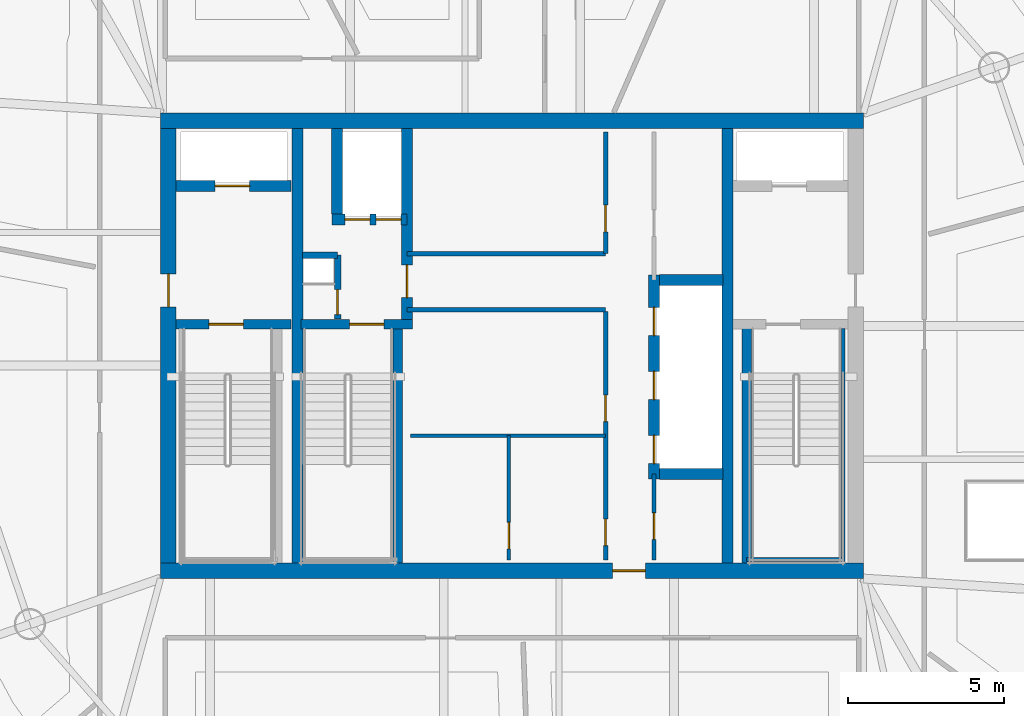
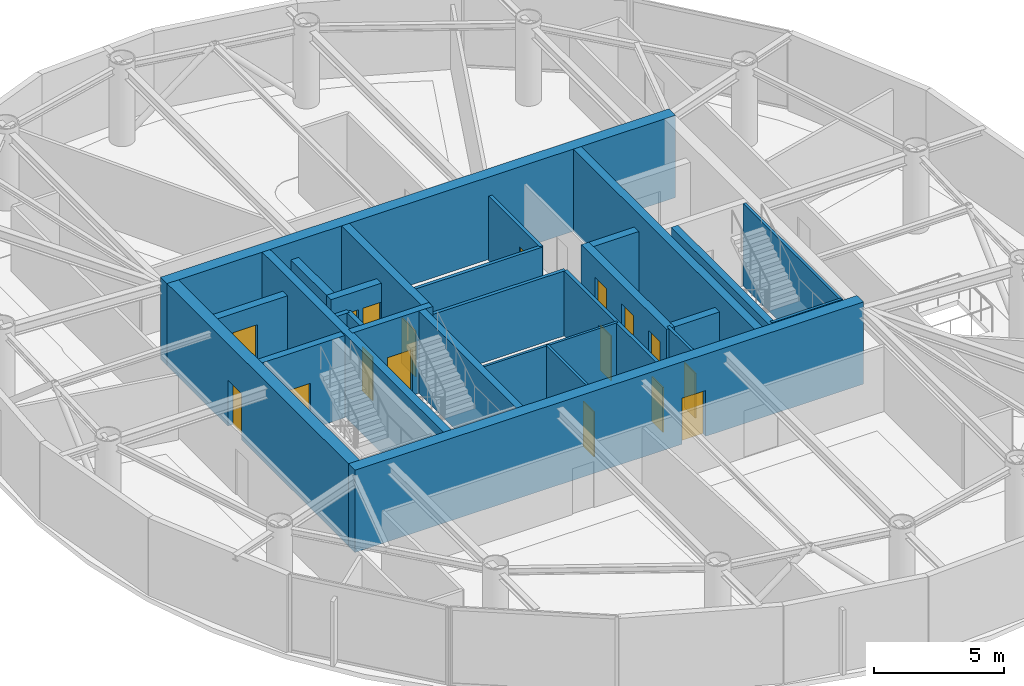
# One storey, part 12 of 17: 27 walls, 17 doors, 17 openings.
"""IFC4 building model written with IfcOpenShell, lengths in metres."""

from ifc_helpers import new_model, si_unit, direction, frame, frame_2d, origin, place, context, subcontext, project, spatial, rectangle, extrude, material, layer, layer_set, type_object, element, fill, save


model = new_model("IFC4")

# Units and contexts
model_context = context("Model", 3, precision=1e-05, world=origin(), true_north=direction((0.0, 1.0)))
body_context = subcontext(model_context, "Body", "Model", "MODEL_VIEW")
ifc_project = project(units=[si_unit("LENGTHUNIT", "METRE"), si_unit("AREAUNIT", "SQUARE_METRE"), si_unit("VOLUMEUNIT", "CUBIC_METRE"), si_unit("PLANEANGLEUNIT", "RADIAN"), si_unit("MASSUNIT", "GRAM", prefix="KILO")], contexts=[model_context])

# Site, building, storey
site_placement = place(None, origin())
site = spatial("IfcSite", under=ifc_project, at=site_placement, CompositionType="ELEMENT")
building_placement = place(site_placement, origin())
building = spatial("IfcBuilding", under=site, at=building_placement, Name="Bramvorn Convention Spire", CompositionType="ELEMENT")
storey_placement = place(building_placement, frame((0.0, 0.0, 265.14990234375)))
storey = spatial("IfcBuildingStorey", under=building, at=storey_placement, Name="L67", CompositionType="ELEMENT", Elevation=265.14990234375)

# Wall, opening, door
ifc_material_1 = material(Name="Concrete C50/60", Category="concrete")
ifc_layer_1 = layer(ifc_material_1, 0.5)
ifc_layer_set_1 = layer_set([ifc_layer_1], Name="Concrete C50/60 - WL-CORE-500")
wall_type_1 = type_object("IfcWallType", Name="WL-CORE-500", PredefinedType="SHEAR", material=ifc_layer_set_1)
wall_1_placement = place(storey_placement, frame((26.75, 18.800048828125, 0.0), z_axis=(0.0, 0.0, 1.0), x_axis=(1.0, 0.0, 0.0)))
wall_1 = element("IfcWall", 1, at=wall_1_placement, inside=storey, type_object=wall_type_1, Name="L67 South RC core shear wall", PredefinedType="SHEAR", context=body_context, shape_type="SweptSolid", body=[
    extrude(rectangle(XDim=22.5, YDim=0.5, at=frame_2d((11.25, 0.0))), origin(), (0.0, 0.0, 1.0), 3.85009765625),
])
opening_1_placement = place(wall_1_placement, frame((14.469970703125, 0.0, 0.0)))
opening_1 = element("IfcOpeningElement", 2, at=opening_1_placement, cuts=wall_1, Name="Opening DL-105", PredefinedType="OPENING", context=body_context, shape_type="SweptSolid", body=[
    extrude(rectangle(XDim=1.050048828125, YDim=2.14990234375, at=frame_2d((0.52490234375, 1.074951171875))), frame((0.0, 0.260009765625, 0.0), z_axis=(0.0, -1.0, 0.0), x_axis=(1.0, 0.0, 0.0)), (0.0, 0.0, 1.0), 0.52001953125),
])
ifc_material_2 = material(Name="Smoke-Sealed Fire Lobby Timber-Core Door", Category="wood")
door_type_1 = type_object("IfcDoorType", Name="DR-LOBBY-1050", OperationType="NOTDEFINED", PredefinedType="DOOR", material=ifc_material_2)
door_1_placement = place(opening_1_placement, origin())
door_1 = element("IfcDoor", 3, at=door_1_placement, inside=storey, type_object=door_type_1, Name="L67 South Lift Lobby fire door", OperationType="SINGLE_SWING_RIGHT", OverallHeight=2.14990234375, OverallWidth=1.050048828125, PredefinedType="DOOR", context=body_context, shape_type="SweptSolid", body=[
    extrude(rectangle(XDim=1.050048828125, YDim=2.14990234375, at=frame_2d((0.52490234375, 1.074951171875))), frame((0.0, 0.02490234375, 0.0), z_axis=(0.0, -1.0, 0.0), x_axis=(1.0, 0.0, 0.0)), (0.0, 0.0, 1.0), 0.050048828125),
])
fill(opening_1, door_1)

# Wall
wall_2_placement = place(storey_placement, frame((26.75, 33.199951171875, 0.0), z_axis=(0.0, 0.0, 1.0), x_axis=(1.0, 0.0, 0.0)))
element("IfcWall", 4, at=wall_2_placement, inside=storey, type_object=wall_type_1, Name="L67 North RC core shear wall", PredefinedType="SHEAR", context=body_context, shape_type="SweptSolid", body=[
    extrude(rectangle(XDim=22.5, YDim=0.5, at=frame_2d((11.25, 0.0))), origin(), (0.0, 0.0, 1.0), 3.85009765625),
])

# Wall, opening, door
wall_3_placement = place(storey_placement, frame((27.0, 19.050048828125, 0.0), z_axis=(0.0, 0.0, 1.0), x_axis=(0.0, 1.0, 0.0)))
wall_3 = element("IfcWall", 5, at=wall_3_placement, inside=storey, type_object=wall_type_1, Name="L67 West RC core shear wall", PredefinedType="SHEAR", context=body_context, shape_type="SweptSolid", body=[
    extrude(rectangle(XDim=13.89990234375, YDim=0.5, at=frame_2d((6.949951171875, 0.0))), origin(), (0.0, 0.0, 1.0), 3.85009765625),
])
opening_2_placement = place(wall_3_placement, frame((8.199951171875, 0.0, 0.0)))
opening_2 = element("IfcOpeningElement", 6, at=opening_2_placement, cuts=wall_3, Name="Opening DL-105", PredefinedType="OPENING", context=body_context, shape_type="SweptSolid", body=[
    extrude(rectangle(XDim=1.050048828125, YDim=2.14990234375, at=frame_2d((0.52490234375, 1.074951171875))), frame((0.0, 0.260009765625, 0.0), z_axis=(0.0, -1.0, 0.0), x_axis=(1.0, 0.0, 0.0)), (0.0, 0.0, 1.0), 0.52001953125),
])
door_2_placement = place(opening_2_placement, origin())
door_2 = element("IfcDoor", 7, at=door_2_placement, inside=storey, type_object=door_type_1, Name="L67 West Firefighting Lobby corridor door", OperationType="SINGLE_SWING_RIGHT", OverallHeight=2.14990234375, OverallWidth=1.050048828125, PredefinedType="DOOR", context=body_context, shape_type="SweptSolid", body=[
    extrude(rectangle(XDim=1.050048828125, YDim=2.14990234375, at=frame_2d((0.52490234375, 1.074951171875))), frame((0.0, 0.02490234375, 0.0), z_axis=(0.0, -1.0, 0.0), x_axis=(1.0, 0.0, 0.0)), (0.0, 0.0, 1.0), 0.050048828125),
])
fill(opening_2, door_2)

# Walls
ifc_layer_2 = layer(ifc_material_1, 0.35009765625)
ifc_layer_set_2 = layer_set([ifc_layer_2], Name="Concrete C50/60 - WL-CORE-INT-350")
wall_type_2 = type_object("IfcWallType", Name="WL-CORE-INT-350", PredefinedType="SHEAR", material=ifc_layer_set_2)
for number, where, z_axis, x_axis, name in (
    (8, (31.1298828125, 19.050048828125, 0.0), (0.0, 0.0, 1.0), (0.0, 1.0, 0.0), "L67 West internal core shear web"),
    (9, (44.89990234375, 19.050048828125, 0.0), (0.0, 0.0, 1.0), (0.0, 1.0, 0.0), "L67 East internal core shear web"),
):
    element("IfcWall", number, at=place(storey_placement, frame(where, z_axis=z_axis, x_axis=x_axis)), inside=storey, type_object=wall_type_2, Name=name, PredefinedType="SHEAR", context=body_context, shape_type="SweptSolid", body=[
        extrude(rectangle(XDim=13.89990234375, YDim=0.35009765625, at=frame_2d((6.949951171875, 0.0))), origin(), (0.0, 0.0, 1.0), 3.85009765625),
    ])

# Wall, opening, door
wall_4_placement = place(storey_placement, frame((27.25, 31.1201171875, 0.0), z_axis=(0.0, 0.0, 1.0), x_axis=(1.0, 0.0, 0.0)))
wall_4 = element("IfcWall", 10, at=wall_4_placement, inside=storey, type_object=wall_type_2, Name="L67 FE1 shaft front wall", PredefinedType="SHEAR", context=body_context, shape_type="SweptSolid", body=[
    extrude(rectangle(XDim=3.669921875, YDim=0.35009765625, at=frame_2d((1.8349609375, 0.0))), origin(), (0.0, 0.0, 1.0), 3.0400390625),
])
opening_3_placement = place(wall_4_placement, frame((1.25, 0.0, 0.0)))
opening_3 = element("IfcOpeningElement", 11, at=opening_3_placement, cuts=wall_4, Name="Opening LD-110", PredefinedType="OPENING", context=body_context, shape_type="SweptSolid", body=[
    extrude(rectangle(XDim=1.10009765625, YDim=2.14990234375, at=frame_2d((0.550048828125, 1.074951171875))), frame((0.0, 0.18505859375, 0.0), z_axis=(0.0, -1.0, 0.0), x_axis=(1.0, 0.0, 0.0)), (0.0, 0.0, 1.0), 0.3701171875),
])
ifc_material_3 = material(Name="Firefighting & Service Lift Sliding Landing Door", Category="steel")
door_type_2 = type_object("IfcDoorType", Name="DR-LIFT-LD-1100", OperationType="NOTDEFINED", PredefinedType="DOOR", material=ifc_material_3)
door_3_placement = place(opening_3_placement, origin())
door_3 = element("IfcDoor", 12, at=door_3_placement, inside=storey, type_object=door_type_2, Name="L67 Lift FE1 Sliding Landing Door", OperationType="SLIDING_TO_LEFT", OverallHeight=2.14990234375, OverallWidth=1.10009765625, PredefinedType="DOOR", context=body_context, shape_type="SweptSolid", body=[
    extrude(rectangle(XDim=1.10009765625, YDim=2.14990234375, at=frame_2d((0.550048828125, 1.074951171875))), frame((0.0, 0.02490234375, 0.0), z_axis=(0.0, -1.0, 0.0), x_axis=(1.0, 0.0, 0.0)), (0.0, 0.0, 1.0), 0.050048828125),
])
fill(opening_3, door_3)

wall_5_placement = place(storey_placement, frame((34.639892578125, 26.68994140625, 0.0), z_axis=(0.0, 0.0, 1.0), x_axis=(0.0, 1.0, 0.0)))
wall_5 = element("IfcWall", 13, at=wall_5_placement, inside=storey, type_object=wall_type_2, Name="L67 SV east core shaft wall", PredefinedType="SHEAR", context=body_context, shape_type="SweptSolid", body=[
    extrude(rectangle(XDim=6.260009765625, YDim=0.35009765625, at=frame_2d((3.1298828125, 0.0))), origin(), (0.0, 0.0, 1.0), 3.85009765625),
])
opening_4_placement = place(wall_5_placement, frame((0.85009765625, 0.0, 0.0)))
opening_4 = element("IfcOpeningElement", 14, at=opening_4_placement, cuts=wall_5, Name="Opening DL-105", PredefinedType="OPENING", context=body_context, shape_type="SweptSolid", body=[
    extrude(rectangle(XDim=1.050048828125, YDim=2.14990234375, at=frame_2d((0.52490234375, 1.074951171875))), frame((0.0, 0.18505859375, 0.0), z_axis=(0.0, -1.0, 0.0), x_axis=(1.0, 0.0, 0.0)), (0.0, 0.0, 1.0), 0.3701171875),
])
door_4_placement = place(opening_4_placement, origin())
door_4 = element("IfcDoor", 15, at=door_4_placement, inside=storey, type_object=door_type_1, Name="L67 Core cross-passage door", OperationType="SINGLE_SWING_RIGHT", OverallHeight=2.14990234375, OverallWidth=1.050048828125, PredefinedType="DOOR", context=body_context, shape_type="SweptSolid", body=[
    extrude(rectangle(XDim=1.050048828125, YDim=2.14990234375, at=frame_2d((0.52490234375, 1.074951171875))), frame((0.0, 0.02490234375, 0.0), z_axis=(0.0, -1.0, 0.0), x_axis=(1.0, 0.0, 0.0)), (0.0, 0.0, 1.0), 0.050048828125),
])
fill(opening_4, door_4)

# Wall, openings, doors
wall_6_placement = place(storey_placement, frame((32.22998046875, 30.050048828125, 0.0), z_axis=(0.0, 0.0, 1.0), x_axis=(1.0, 0.0, 0.0)))
wall_6 = element("IfcWall", 16, at=wall_6_placement, inside=storey, type_object=wall_type_2, Name="L67 SV1/SV2 shaft front wall", PredefinedType="SHEAR", context=body_context, shape_type="SweptSolid", body=[
    extrude(rectangle(XDim=2.409912109375, YDim=0.35009765625, at=frame_2d((1.205078125, 0.0))), origin(), (0.0, 0.0, 1.0), 3.0400390625),
])
opening_5_placement = place(wall_6_placement, frame((0.419921875, 0.0, 0.0)))
opening_5 = element("IfcOpeningElement", 17, at=opening_5_placement, cuts=wall_6, Name="Opening LD-080", PredefinedType="OPENING", context=body_context, shape_type="SweptSolid", body=[
    extrude(rectangle(XDim=0.800048828125, YDim=2.14990234375, at=frame_2d((0.39990234375, 1.074951171875))), frame((0.0, 0.18505859375, 0.0), z_axis=(0.0, -1.0, 0.0), x_axis=(1.0, 0.0, 0.0)), (0.0, 0.0, 1.0), 0.3701171875),
])
opening_6_placement = place(wall_6_placement, frame((1.419921875, 0.0, 0.0)))
opening_6 = element("IfcOpeningElement", 18, at=opening_6_placement, cuts=wall_6, Name="Opening LD-080", PredefinedType="OPENING", context=body_context, shape_type="SweptSolid", body=[
    extrude(rectangle(XDim=0.800048828125, YDim=2.14990234375, at=frame_2d((0.39990234375, 1.074951171875))), frame((0.0, 0.18505859375, 0.0), z_axis=(0.0, -1.0, 0.0), x_axis=(1.0, 0.0, 0.0)), (0.0, 0.0, 1.0), 0.3701171875),
])
ifc_material_4 = material(Name="Service Lift Bi-Parting Landing Door", Category="steel")
door_type_3 = type_object("IfcDoorType", Name="DR-LIFT-LD-800", OperationType="NOTDEFINED", PredefinedType="DOOR", material=ifc_material_4)
door_5_placement = place(opening_5_placement, origin())
door_5 = element("IfcDoor", 19, at=door_5_placement, inside=storey, type_object=door_type_3, Name="L67 Lift SV1 Sliding Landing Door", OperationType="SLIDING_TO_LEFT", OverallHeight=2.14990234375, OverallWidth=0.800048828125, PredefinedType="DOOR", context=body_context, shape_type="SweptSolid", body=[
    extrude(rectangle(XDim=0.800048828125, YDim=2.14990234375, at=frame_2d((0.39990234375, 1.074951171875))), frame((0.0, 0.02490234375, 0.0), z_axis=(0.0, -1.0, 0.0), x_axis=(1.0, 0.0, 0.0)), (0.0, 0.0, 1.0), 0.050048828125),
])
fill(opening_5, door_5)
door_6_placement = place(opening_6_placement, origin())
door_6 = element("IfcDoor", 20, at=door_6_placement, inside=storey, type_object=door_type_3, Name="L67 Lift SV2 Sliding Landing Door", OperationType="SLIDING_TO_LEFT", OverallHeight=2.14990234375, OverallWidth=0.800048828125, PredefinedType="DOOR", context=body_context, shape_type="SweptSolid", body=[
    extrude(rectangle(XDim=0.800048828125, YDim=2.14990234375, at=frame_2d((0.39990234375, 1.074951171875))), frame((0.0, 0.02490234375, 0.0), z_axis=(0.0, -1.0, 0.0), x_axis=(1.0, 0.0, 0.0)), (0.0, 0.0, 1.0), 0.050048828125),
])
fill(opening_6, door_6)

# Wall
wall_7_placement = place(storey_placement, frame((32.39990234375, 30.219970703125, 0.0), z_axis=(0.0, 0.0, 1.0), x_axis=(0.0, 1.0, 0.0)))
element("IfcWall", 21, at=wall_7_placement, inside=storey, type_object=wall_type_2, Name="L67 SV1 west hoistway wall", PredefinedType="SHEAR", context=body_context, shape_type="SweptSolid", body=[
    extrude(rectangle(XDim=2.72998046875, YDim=0.35009765625, at=frame_2d((1.364990234375, 0.0))), origin(), (0.0, 0.0, 1.0), 3.0400390625),
])

# Wall, openings, doors
wall_8_placement = place(storey_placement, frame((42.550048828125, 21.72998046875, 0.0), z_axis=(0.0, 0.0, 1.0), x_axis=(0.0, 1.0, 0.0)))
wall_8 = element("IfcWall", 22, at=wall_8_placement, inside=storey, type_object=wall_type_2, Name="L67 High-rise lift bank west wall", PredefinedType="SHEAR", context=body_context, shape_type="SweptSolid", body=[
    extrude(rectangle(XDim=6.5400390625, YDim=0.35009765625, at=frame_2d((3.27001953125, 0.0))), origin(), (0.0, 0.0, 1.0), 3.0400390625),
])
opening_7_placement = place(wall_8_placement, frame((0.5, 0.0, 0.0)))
opening_7 = element("IfcOpeningElement", 23, at=opening_7_placement, cuts=wall_8, Name="Opening LD-090", PredefinedType="OPENING", context=body_context, shape_type="SweptSolid", body=[
    extrude(rectangle(XDim=0.89990234375, YDim=2.14990234375, at=frame_2d((0.449951171875, 1.074951171875))), frame((0.0, 0.18505859375, 0.0), z_axis=(0.0, -1.0, 0.0), x_axis=(1.0, 0.0, 0.0)), (0.0, 0.0, 1.0), 0.3701171875),
])
opening_8_placement = place(wall_8_placement, frame((2.550048828125, 0.0, 0.0)))
opening_8 = element("IfcOpeningElement", 24, at=opening_8_placement, cuts=wall_8, Name="Opening LD-090", PredefinedType="OPENING", context=body_context, shape_type="SweptSolid", body=[
    extrude(rectangle(XDim=0.89990234375, YDim=2.14990234375, at=frame_2d((0.449951171875, 1.074951171875))), frame((0.0, 0.18505859375, 0.0), z_axis=(0.0, -1.0, 0.0), x_axis=(1.0, 0.0, 0.0)), (0.0, 0.0, 1.0), 0.3701171875),
])
opening_9_placement = place(wall_8_placement, frame((4.60009765625, 0.0, 0.0)))
opening_9 = element("IfcOpeningElement", 25, at=opening_9_placement, cuts=wall_8, Name="Opening LD-090", PredefinedType="OPENING", context=body_context, shape_type="SweptSolid", body=[
    extrude(rectangle(XDim=0.89990234375, YDim=2.14990234375, at=frame_2d((0.449951171875, 1.074951171875))), frame((0.0, 0.18505859375, 0.0), z_axis=(0.0, -1.0, 0.0), x_axis=(1.0, 0.0, 0.0)), (0.0, 0.0, 1.0), 0.3701171875),
])
ifc_material_5 = material(Name="Bi-Parting Fire-Rated Lift Landing Door", Category="steel")
door_type_4 = type_object("IfcDoorType", Name="DR-LIFT-LD-900", OperationType="NOTDEFINED", PredefinedType="DOOR", material=ifc_material_5)
door_7_placement = place(opening_7_placement, origin())
door_7 = element("IfcDoor", 26, at=door_7_placement, inside=storey, type_object=door_type_4, Name="L67 Lift PH1 Sliding Landing Door", OperationType="SLIDING_TO_LEFT", OverallHeight=2.14990234375, OverallWidth=0.89990234375, PredefinedType="DOOR", context=body_context, shape_type="SweptSolid", body=[
    extrude(rectangle(XDim=0.89990234375, YDim=2.14990234375, at=frame_2d((0.449951171875, 1.074951171875))), frame((0.0, 0.02490234375, 0.0), z_axis=(0.0, -1.0, 0.0), x_axis=(1.0, 0.0, 0.0)), (0.0, 0.0, 1.0), 0.050048828125),
])
fill(opening_7, door_7)
door_8_placement = place(opening_8_placement, origin())
door_8 = element("IfcDoor", 27, at=door_8_placement, inside=storey, type_object=door_type_4, Name="L67 Lift PH2 Sliding Landing Door", OperationType="SLIDING_TO_LEFT", OverallHeight=2.14990234375, OverallWidth=0.89990234375, PredefinedType="DOOR", context=body_context, shape_type="SweptSolid", body=[
    extrude(rectangle(XDim=0.89990234375, YDim=2.14990234375, at=frame_2d((0.449951171875, 1.074951171875))), frame((0.0, 0.02490234375, 0.0), z_axis=(0.0, -1.0, 0.0), x_axis=(1.0, 0.0, 0.0)), (0.0, 0.0, 1.0), 0.050048828125),
])
fill(opening_8, door_8)
door_9_placement = place(opening_9_placement, origin())
door_9 = element("IfcDoor", 28, at=door_9_placement, inside=storey, type_object=door_type_4, Name="L67 Lift PH3 Sliding Landing Door", OperationType="SLIDING_TO_LEFT", OverallHeight=2.14990234375, OverallWidth=0.89990234375, PredefinedType="DOOR", context=body_context, shape_type="SweptSolid", body=[
    extrude(rectangle(XDim=0.89990234375, YDim=2.14990234375, at=frame_2d((0.449951171875, 1.074951171875))), frame((0.0, 0.02490234375, 0.0), z_axis=(0.0, -1.0, 0.0), x_axis=(1.0, 0.0, 0.0)), (0.0, 0.0, 1.0), 0.050048828125),
])
fill(opening_9, door_9)

# Walls
for number, where, z_axis, x_axis, name in (
    (29, (42.719970703125, 21.89990234375, 0.0), (0.0, 0.0, 1.0), (1.0, 0.0, 0.0), "L67 High-rise lift bank south wall"),
    (30, (42.719970703125, 28.10009765625, 0.0), (0.0, 0.0, 1.0), (1.0, 0.0, 0.0), "L67 High-rise lift bank north wall"),
):
    element("IfcWall", number, at=place(storey_placement, frame(where, z_axis=z_axis, x_axis=x_axis)), inside=storey, type_object=wall_type_2, Name=name, PredefinedType="SHEAR", context=body_context, shape_type="SweptSolid", body=[
        extrude(rectangle(XDim=2.030029296875, YDim=0.35009765625, at=frame_2d((1.01513671875, 0.0))), origin(), (0.0, 0.0, 1.0), 3.0400390625),
    ])
ifc_material_6 = material(Name="Lightweight En-Suite & Wet-Wall Partition", Category="gypsum")
ifc_layer_3 = layer(ifc_material_6, 0.110107421875)
ifc_layer_set_3 = layer_set([ifc_layer_3], Name="Lightweight En-Suite & Wet-Wall Partition - WL-PART-110")
wall_type_3 = type_object("IfcWallType", Name="WL-PART-110", PredefinedType="PARTITIONING", material=ifc_layer_set_3)
wall_9_placement = place(storey_placement, frame((34.75, 23.125, 0.0), z_axis=(0.0, 0.0, 1.0), x_axis=(1.0, 0.0, 0.0)))
element("IfcWall", 31, at=wall_9_placement, inside=storey, type_object=wall_type_3, Name="L67 KA horizontal core divider", PredefinedType="PARTITIONING", context=body_context, shape_type="SweptSolid", body=[
    extrude(rectangle(XDim=6.25, YDim=0.110107421875, at=frame_2d((3.125, 0.0))), origin(), (0.0, 0.0, 1.0), 3.0400390625),
])

# Wall, opening, door
wall_10_placement = place(storey_placement, frame((37.89990234375, 19.14990234375, 0.0), z_axis=(0.0, 0.0, 1.0), x_axis=(0.0, 1.0, 0.0)))
wall_10 = element("IfcWall", 32, at=wall_10_placement, inside=storey, type_object=wall_type_3, Name="L67 KA restroom subwall", PredefinedType="PARTITIONING", context=body_context, shape_type="SweptSolid", body=[
    extrude(rectangle(XDim=3.97509765625, YDim=0.110107421875, at=frame_2d((1.987548828125, 0.0))), origin(), (0.0, 0.0, 1.0), 3.0400390625),
])
opening_10_placement = place(wall_10_placement, frame((0.35009765625, 0.0, 0.0)))
opening_10 = element("IfcOpeningElement", 33, at=opening_10_placement, cuts=wall_10, Name="Opening DC-085", PredefinedType="OPENING", context=body_context, shape_type="SweptSolid", body=[
    extrude(rectangle(XDim=0.85009765625, YDim=2.10009765625, at=frame_2d((0.425048828125, 1.050048828125))), frame((0.0, 0.06494140625, 0.0), z_axis=(0.0, -1.0, 0.0), x_axis=(1.0, 0.0, 0.0)), (0.0, 0.0, 1.0), 0.130126953125),
])
ifc_material_7 = material(Name="Fire-Rated Core Washroom & IDF Door", Category="wood")
door_type_5 = type_object("IfcDoorType", Name="DR-CORE-850", OperationType="NOTDEFINED", PredefinedType="DOOR", material=ifc_material_7)
door_10_placement = place(opening_10_placement, origin())
door_10 = element("IfcDoor", 34, at=door_10_placement, inside=storey, type_object=door_type_5, Name="L67 Core IT Closet door", OperationType="SINGLE_SWING_LEFT", OverallHeight=2.10009765625, OverallWidth=0.85009765625, PredefinedType="DOOR", context=body_context, shape_type="SweptSolid", body=[
    extrude(rectangle(XDim=0.85009765625, YDim=2.10009765625, at=frame_2d((0.425048828125, 1.050048828125))), frame((0.0, 0.02490234375, 0.0), z_axis=(0.0, -1.0, 0.0), x_axis=(1.0, 0.0, 0.0)), (0.0, 0.0, 1.0), 0.050048828125),
])
fill(opening_10, door_10)

ifc_material_8 = material(Name="Metal-Stud Demountable Office Partition", Category="gypsum")
ifc_layer_4 = layer(ifc_material_8, 0.1298828125)
ifc_layer_set_4 = layer_set([ifc_layer_4], Name="Metal-Stud Demountable Office Partition - WL-PART-130")
wall_type_4 = type_object("IfcWallType", Name="WL-PART-130", PredefinedType="PARTITIONING", material=ifc_layer_set_4)
wall_11_placement = place(storey_placement, frame((42.550048828125, 19.14990234375, 0.0), z_axis=(0.0, 0.0, 1.0), x_axis=(0.0, 1.0, 0.0)))
wall_11 = element("IfcWall", 35, at=wall_11_placement, inside=storey, type_object=wall_type_4, Name="L67 KA SE store wall", PredefinedType="PARTITIONING", context=body_context, shape_type="SweptSolid", body=[
    extrude(rectangle(XDim=2.75, YDim=0.1298828125, at=frame_2d((1.375, 0.0))), origin(), (0.0, 0.0, 1.0), 3.0400390625),
])
opening_11_placement = place(wall_11_placement, frame((0.64990234375, 0.0, 0.0)))
opening_11 = element("IfcOpeningElement", 36, at=opening_11_placement, cuts=wall_11, Name="Opening DC-085", PredefinedType="OPENING", context=body_context, shape_type="SweptSolid", body=[
    extrude(rectangle(XDim=0.85009765625, YDim=2.10009765625, at=frame_2d((0.425048828125, 1.050048828125))), frame((0.0, 0.074951171875, 0.0), z_axis=(0.0, -1.0, 0.0), x_axis=(1.0, 0.0, 0.0)), (0.0, 0.0, 1.0), 0.14990234375),
])
door_11_placement = place(opening_11_placement, origin())
door_11 = element("IfcDoor", 37, at=door_11_placement, inside=storey, type_object=door_type_5, Name="L67 Tenant Pantry & Copy Centre door", OperationType="SINGLE_SWING_LEFT", OverallHeight=2.10009765625, OverallWidth=0.85009765625, PredefinedType="DOOR", context=body_context, shape_type="SweptSolid", body=[
    extrude(rectangle(XDim=0.85009765625, YDim=2.10009765625, at=frame_2d((0.425048828125, 1.050048828125))), frame((0.0, 0.02490234375, 0.0), z_axis=(0.0, -1.0, 0.0), x_axis=(1.0, 0.0, 0.0)), (0.0, 0.0, 1.0), 0.050048828125),
])
fill(opening_11, door_11)

# Walls
ifc_material_9 = material(Name="Acoustic Metal-Stud Tenant/Corridor Partition", Category="gypsum")
ifc_layer_5 = layer(ifc_material_9, 0.14990234375)
ifc_layer_set_5 = layer_set([ifc_layer_5], Name="Acoustic Metal-Stud Tenant/Corridor Partition - WL-PART-150")
wall_type_5 = type_object("IfcWallType", Name="WL-PART-150", PredefinedType="PARTITIONING", material=ifc_layer_set_5)
for number, where, z_axis, x_axis, name in (
    (38, (34.639892578125, 27.14990234375, 0.0), (0.0, 0.0, 1.0), (1.0, 0.0, 0.0), "L67 Cross-core passage south wall"),
    (39, (34.639892578125, 28.949951171875, 0.0), (0.0, 0.0, 1.0), (1.0, 0.0, 0.0), "L67 Cross-core passage north wall"),
):
    element("IfcWall", number, at=place(storey_placement, frame(where, z_axis=z_axis, x_axis=x_axis)), inside=storey, type_object=wall_type_5, Name=name, PredefinedType="PARTITIONING", context=body_context, shape_type="SweptSolid", body=[
        extrude(rectangle(XDim=6.360107421875, YDim=0.14990234375, at=frame_2d((3.18017578125, 0.0))), origin(), (0.0, 0.0, 1.0), 3.0400390625),
    ])

# Wall, opening, door
wall_12_placement = place(storey_placement, frame((41.0, 28.949951171875, 0.0), z_axis=(0.0, 0.0, 1.0), x_axis=(0.0, 1.0, 0.0)))
wall_12 = element("IfcWall", 40, at=wall_12_placement, inside=storey, type_object=wall_type_5, Name="L67 Freed north shaft room wall", PredefinedType="PARTITIONING", context=body_context, shape_type="SweptSolid", body=[
    extrude(rectangle(XDim=3.900146484375, YDim=0.14990234375, at=frame_2d((1.9501953125, 0.0))), origin(), (0.0, 0.0, 1.0), 3.0400390625),
])
opening_12_placement = place(wall_12_placement, frame((0.699951171875, 0.0, 0.0)))
opening_12 = element("IfcOpeningElement", 41, at=opening_12_placement, cuts=wall_12, Name="Opening DC-085", PredefinedType="OPENING", context=body_context, shape_type="SweptSolid", body=[
    extrude(rectangle(XDim=0.85009765625, YDim=2.10009765625, at=frame_2d((0.425048828125, 1.050048828125))), frame((0.0, 0.0849609375, 0.0), z_axis=(0.0, -1.0, 0.0), x_axis=(1.0, 0.0, 0.0)), (0.0, 0.0, 1.0), 0.169921875),
])
door_12_placement = place(opening_12_placement, origin())
door_12 = element("IfcDoor", 42, at=door_12_placement, inside=storey, type_object=door_type_5, Name="L67 North core archive door", OperationType="SINGLE_SWING_LEFT", OverallHeight=2.10009765625, OverallWidth=0.85009765625, PredefinedType="DOOR", context=body_context, shape_type="SweptSolid", body=[
    extrude(rectangle(XDim=0.85009765625, YDim=2.10009765625, at=frame_2d((0.425048828125, 1.050048828125))), frame((0.0, 0.02490234375, 0.0), z_axis=(0.0, -1.0, 0.0), x_axis=(1.0, 0.0, 0.0)), (0.0, 0.0, 1.0), 0.050048828125),
])
fill(opening_12, door_12)

# Wall, openings, doors
wall_13_placement = place(storey_placement, frame((41.0, 19.14990234375, 0.0), z_axis=(0.0, 0.0, 1.0), x_axis=(0.0, 1.0, 0.0)))
wall_13 = element("IfcWall", 43, at=wall_13_placement, inside=storey, type_object=wall_type_5, Name="L67 KA east core wall", PredefinedType="PARTITIONING", context=body_context, shape_type="SweptSolid", body=[
    extrude(rectangle(XDim=7.9501953125, YDim=0.14990234375, at=frame_2d((3.97509765625, 0.0))), origin(), (0.0, 0.0, 1.0), 3.0400390625),
])
opening_13_placement = place(wall_13_placement, frame((4.425048828125, 0.0, 0.0)))
opening_13 = element("IfcOpeningElement", 44, at=opening_13_placement, cuts=wall_13, Name="Opening DC-085", PredefinedType="OPENING", context=body_context, shape_type="SweptSolid", body=[
    extrude(rectangle(XDim=0.85009765625, YDim=2.10009765625, at=frame_2d((0.425048828125, 1.050048828125))), frame((0.0, 0.0849609375, 0.0), z_axis=(0.0, -1.0, 0.0), x_axis=(1.0, 0.0, 0.0)), (0.0, 0.0, 1.0), 0.169921875),
])
opening_14_placement = place(wall_13_placement, frame((0.449951171875, 0.0, 0.0)))
opening_14 = element("IfcOpeningElement", 45, at=opening_14_placement, cuts=wall_13, Name="Opening DC-085", PredefinedType="OPENING", context=body_context, shape_type="SweptSolid", body=[
    extrude(rectangle(XDim=0.85009765625, YDim=2.10009765625, at=frame_2d((0.425048828125, 1.050048828125))), frame((0.0, 0.0849609375, 0.0), z_axis=(0.0, -1.0, 0.0), x_axis=(1.0, 0.0, 0.0)), (0.0, 0.0, 1.0), 0.169921875),
])
door_13_placement = place(opening_13_placement, origin())
door_13 = element("IfcDoor", 46, at=door_13_placement, inside=storey, type_object=door_type_5, Name="L67 Core Linen & Equipment Store door", OperationType="SINGLE_SWING_LEFT", OverallHeight=2.10009765625, OverallWidth=0.85009765625, PredefinedType="DOOR", context=body_context, shape_type="SweptSolid", body=[
    extrude(rectangle(XDim=0.85009765625, YDim=2.10009765625, at=frame_2d((0.425048828125, 1.050048828125))), frame((0.0, 0.02490234375, 0.0), z_axis=(0.0, -1.0, 0.0), x_axis=(1.0, 0.0, 0.0)), (0.0, 0.0, 1.0), 0.050048828125),
])
fill(opening_13, door_13)
door_14_placement = place(opening_14_placement, origin())
door_14 = element("IfcDoor", 47, at=door_14_placement, inside=storey, type_object=door_type_5, Name="L67 Accessible Core Restroom door", OperationType="SINGLE_SWING_LEFT", OverallHeight=2.10009765625, OverallWidth=0.85009765625, PredefinedType="DOOR", context=body_context, shape_type="SweptSolid", body=[
    extrude(rectangle(XDim=0.85009765625, YDim=2.10009765625, at=frame_2d((0.425048828125, 1.050048828125))), frame((0.0, 0.02490234375, 0.0), z_axis=(0.0, -1.0, 0.0), x_axis=(1.0, 0.0, 0.0)), (0.0, 0.0, 1.0), 0.050048828125),
])
fill(opening_14, door_14)

# Wall, opening, door
ifc_material_10 = material(Name="Gypsum Shaftwall & Rockwool Core Partition", Category="gypsum")
ifc_layer_6 = layer(ifc_material_10, 0.199951171875)
ifc_layer_set_6 = layer_set([ifc_layer_6], Name="Gypsum Shaftwall & Rockwool Core Partition - WL-PART-200-FR")
wall_type_6 = type_object("IfcWallType", Name="WL-PART-200-FR", PredefinedType="PARTITIONING", material=ifc_layer_set_6)
wall_14_placement = place(storey_placement, frame((32.419921875, 26.860107421875, 0.0), z_axis=(0.0, 0.0, 1.0), x_axis=(0.0, 1.0, 0.0)))
wall_14 = element("IfcWall", 48, at=wall_14_placement, inside=storey, type_object=wall_type_6, Name="L67 Telecom riser east wall", PredefinedType="PARTITIONING", context=body_context, shape_type="SweptSolid", body=[
    extrude(rectangle(XDim=2.039794921875, YDim=0.199951171875, at=frame_2d((1.02001953125, 0.0))), origin(), (0.0, 0.0, 1.0), 3.0400390625),
])
opening_15_placement = place(wall_14_placement, frame((0.139892578125, 0.0, 0.0)))
opening_15 = element("IfcOpeningElement", 49, at=opening_15_placement, cuts=wall_14, Name="Opening DR-080", PredefinedType="OPENING", context=body_context, shape_type="SweptSolid", body=[
    extrude(rectangle(XDim=0.800048828125, YDim=2.050048828125, at=frame_2d((0.39990234375, 1.02490234375))), frame((0.0, 0.10986328125, 0.0), z_axis=(0.0, -1.0, 0.0), x_axis=(1.0, 0.0, 0.0)), (0.0, 0.0, 1.0), 0.219970703125),
])
ifc_material_11 = material(Name="Flush Steel Riser Access Door", Category="steel")
door_type_6 = type_object("IfcDoorType", Name="DR-RISER-800", OperationType="NOTDEFINED", PredefinedType="DOOR", material=ifc_material_11)
door_15_placement = place(opening_15_placement, origin())
door_15 = element("IfcDoor", 50, at=door_15_placement, inside=storey, type_object=door_type_6, Name="L67 Telecom riser access door", OperationType="SINGLE_SWING_RIGHT", OverallHeight=2.050048828125, OverallWidth=0.800048828125, PredefinedType="DOOR", context=body_context, shape_type="SweptSolid", body=[
    extrude(rectangle(XDim=0.800048828125, YDim=2.050048828125, at=frame_2d((0.39990234375, 1.02490234375))), frame((0.0, 0.02490234375, 0.0), z_axis=(0.0, -1.0, 0.0), x_axis=(1.0, 0.0, 0.0)), (0.0, 0.0, 1.0), 0.050048828125),
])
fill(opening_15, door_15)

# Wall
wall_15_placement = place(storey_placement, frame((31.300048828125, 28.89990234375, 0.0), z_axis=(0.0, 0.0, 1.0), x_axis=(1.0, 0.0, 0.0)))
element("IfcWall", 51, at=wall_15_placement, inside=storey, type_object=wall_type_6, Name="L67 Telecom riser north wall", PredefinedType="PARTITIONING", context=body_context, shape_type="SweptSolid", body=[
    extrude(rectangle(XDim=1.119873046875, YDim=0.199951171875, at=frame_2d((0.56005859375, 0.0))), origin(), (0.0, 0.0, 1.0), 3.0400390625),
])

# Wall, opening, door
ifc_layer_7 = layer(ifc_material_1, 0.300048828125)
ifc_layer_set_7 = layer_set([ifc_layer_7], Name="Concrete C50/60 - WL-POD-STAIR-300")
wall_type_7 = type_object("IfcWallType", Name="WL-POD-STAIR-300", PredefinedType="SHEAR", material=ifc_layer_set_7)
wall_16_placement = place(storey_placement, frame((27.25, 26.68994140625, 0.0), z_axis=(0.0, 0.0, 1.0), x_axis=(1.0, 0.0, 0.0)))
wall_16 = element("IfcWall", 52, at=wall_16_placement, inside=storey, type_object=wall_type_7, Name="L67 ST1 north fire wall", PredefinedType="SHEAR", context=body_context, shape_type="SweptSolid", body=[
    extrude(rectangle(XDim=3.669921875, YDim=0.300048828125, at=frame_2d((1.8349609375, 0.0))), origin(), (0.0, 0.0, 1.0), 3.85009765625),
])
opening_16_placement = place(wall_16_placement, frame((1.050048828125, 0.0, 0.0)))
opening_16 = element("IfcOpeningElement", 53, at=opening_16_placement, cuts=wall_16, Name="Opening DS-110", PredefinedType="OPENING", context=body_context, shape_type="SweptSolid", body=[
    extrude(rectangle(XDim=1.10009765625, YDim=2.14990234375, at=frame_2d((0.550048828125, 1.074951171875))), frame((0.0, 0.159912109375, 0.0), z_axis=(0.0, -1.0, 0.0), x_axis=(1.0, 0.0, 0.0)), (0.0, 0.0, 1.0), 0.320068359375),
])
ifc_material_12 = material(Name="Fire-Rated Hollow Steel Stairwell Door", Category="steel")
door_type_7 = type_object("IfcDoorType", Name="DR-STAIR-1100", OperationType="NOTDEFINED", PredefinedType="DOOR", material=ifc_material_12)
door_16_placement = place(opening_16_placement, origin())
door_16 = element("IfcDoor", 54, at=door_16_placement, inside=storey, type_object=door_type_7, Name="L67 Stair ST1 fire door", OperationType="SINGLE_SWING_LEFT", OverallHeight=2.14990234375, OverallWidth=1.10009765625, PredefinedType="DOOR", context=body_context, shape_type="SweptSolid", body=[
    extrude(rectangle(XDim=1.10009765625, YDim=2.14990234375, at=frame_2d((0.550048828125, 1.074951171875))), frame((0.0, 0.02490234375, 0.0), z_axis=(0.0, -1.0, 0.0), x_axis=(1.0, 0.0, 0.0)), (0.0, 0.0, 1.0), 0.050048828125),
])
fill(opening_16, door_16)

# Walls
for number, where, z_axis, x_axis, name in (
    (55, (45.510009765625, 19.050048828125, 0.0), (0.0, 0.0, 1.0), (0.0, 1.0, 0.0), "L67 ST2 west bearing wall"),
    (56, (34.340087890625, 19.050048828125, 0.0), (0.0, 0.0, 1.0), (0.0, 1.0, 0.0), "L67 ST3 east bearing wall"),
):
    element("IfcWall", number, at=place(storey_placement, frame(where, z_axis=z_axis, x_axis=x_axis)), inside=storey, type_object=wall_type_7, Name=name, PredefinedType="SHEAR", context=body_context, shape_type="SweptSolid", body=[
        extrude(rectangle(XDim=7.5, YDim=0.300048828125, at=frame_2d((3.75, 0.0))), origin(), (0.0, 0.0, 1.0), 3.85009765625),
    ])

# Wall, opening, door
wall_17_placement = place(storey_placement, frame((31.25, 26.68994140625, 0.0), z_axis=(0.0, 0.0, 1.0), x_axis=(1.0, 0.0, 0.0)))
wall_17 = element("IfcWall", 57, at=wall_17_placement, inside=storey, type_object=wall_type_7, Name="L67 ST3 north lobby wall", PredefinedType="SHEAR", context=body_context, shape_type="SweptSolid", body=[
    extrude(rectangle(XDim=3.56005859375, YDim=0.300048828125, at=frame_2d((1.780029296875, 0.0))), origin(), (0.0, 0.0, 1.0), 3.85009765625),
])
opening_17_placement = place(wall_17_placement, frame((1.550048828125, 0.0, 0.0)))
opening_17 = element("IfcOpeningElement", 58, at=opening_17_placement, cuts=wall_17, Name="Opening DS-110", PredefinedType="OPENING", context=body_context, shape_type="SweptSolid", body=[
    extrude(rectangle(XDim=1.10009765625, YDim=2.14990234375, at=frame_2d((0.550048828125, 1.074951171875))), frame((0.0, 0.159912109375, 0.0), z_axis=(0.0, -1.0, 0.0), x_axis=(1.0, 0.0, 0.0)), (0.0, 0.0, 1.0), 0.320068359375),
])
door_17_placement = place(opening_17_placement, origin())
door_17 = element("IfcDoor", 59, at=door_17_placement, inside=storey, type_object=door_type_7, Name="L67 Stair ST3 fire door", OperationType="SINGLE_SWING_LEFT", OverallHeight=2.14990234375, OverallWidth=1.10009765625, PredefinedType="DOOR", context=body_context, shape_type="SweptSolid", body=[
    extrude(rectangle(XDim=1.10009765625, YDim=2.14990234375, at=frame_2d((0.550048828125, 1.074951171875))), frame((0.0, 0.02490234375, 0.0), z_axis=(0.0, -1.0, 0.0), x_axis=(1.0, 0.0, 0.0)), (0.0, 0.0, 1.0), 0.050048828125),
])
fill(opening_17, door_17)

# Walls
ifc_layer_8 = layer(ifc_material_1, 0.1201171875)
ifc_layer_set_8 = layer_set([ifc_layer_8], Name="Concrete C50/60 - WL-STAIR-RC-120")
wall_type_8 = type_object("IfcWallType", Name="WL-STAIR-RC-120", PredefinedType="SHEAR", material=ifc_layer_set_8)
wall_18_placement = place(storey_placement, frame((48.60498046875, 19.10009765625, 0.0), z_axis=(0.0, 0.0, 1.0), x_axis=(0.0, 1.0, 0.0)))
element("IfcWall", 60, at=wall_18_placement, inside=storey, type_object=wall_type_8, Name="L67 ST2 east bearing shear wall", PredefinedType="SHEAR", context=body_context, shape_type="SweptSolid", body=[
    extrude(rectangle(XDim=7.449951171875, YDim=0.1201171875, at=frame_2d((3.72509765625, 0.0))), origin(), (0.0, 0.0, 1.0), 3.85009765625),
])
wall_19_placement = place(storey_placement, frame((45.510009765625, 19.159912109375, 0.0), z_axis=(0.0, 0.0, 1.0), x_axis=(1.0, 0.0, 0.0)))
element("IfcWall", 61, at=wall_19_placement, inside=storey, type_object=wall_type_8, Name="L67 ST2 south bearing shear wall", PredefinedType="SHEAR", context=body_context, shape_type="SweptSolid", body=[
    extrude(rectangle(XDim=3.094970703125, YDim=0.1201171875, at=frame_2d((1.54736328125, 0.0))), origin(), (0.0, 0.0, 1.0), 3.85009765625),
])

save(model, "model.ifc")
